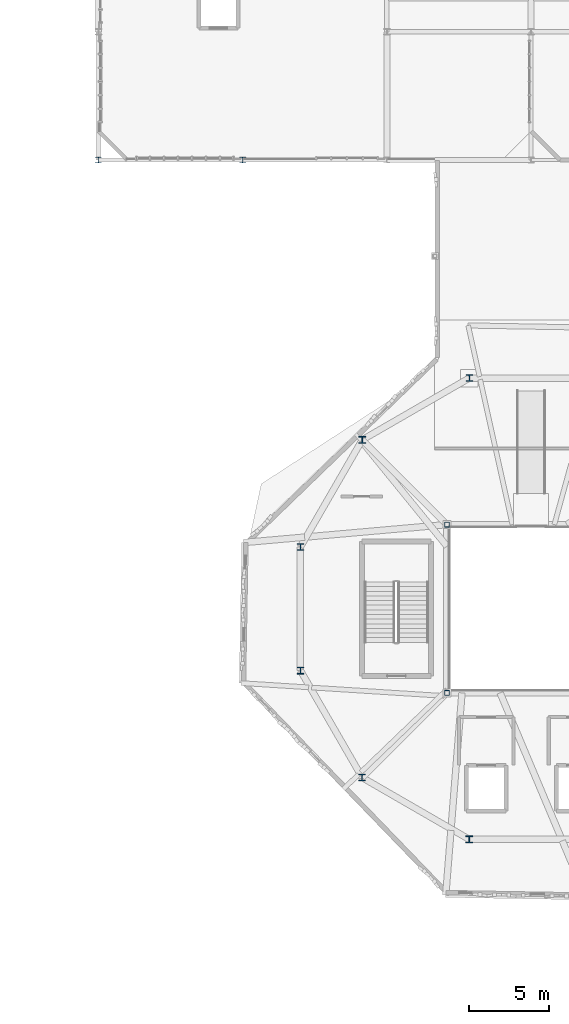
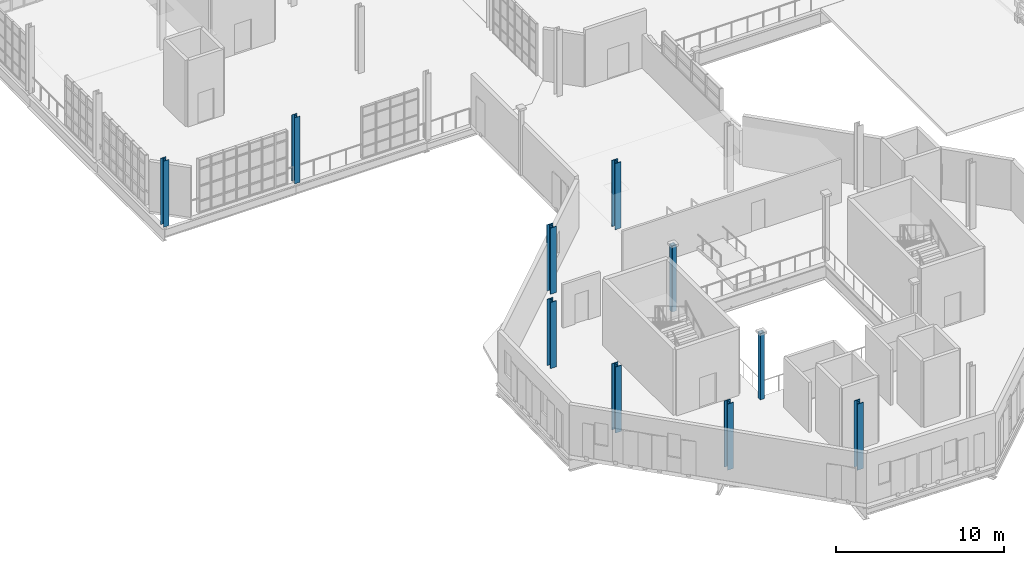
# One storey, part 1 of 85: 10 columns.
"""IFC4 building model written with IfcOpenShell, lengths in metres."""

import ifcopenshell
import ifcopenshell.guid

model = None  # the IFC model being written
_history = None  # IfcOwnerHistory: only IFC2X3 demands one
_inside = {}  # id of a spatial element -> (the spatial element, [elements in it])
_under = {}  # id of a project, library or spatial element -> (it, [spatial elements below it])
_declared = {}  # id of a project -> (the project, [libraries it declares])
_typed = {}  # id of a type object -> (the type object, [elements of that type])
_made_of = {}  # id of a material, layer set ... -> (it, [elements and type objects made of it])


def new_model(schema):
    """Start an empty IFC model of exactly this schema.

    Asked for "IFC4X3", IfcOpenShell would pick the latest addendum, in which some entities
    have other attributes; the version numbers below select the first issue.
    IFC2X3 requires an IfcOwnerHistory on every rooted entity: one is made here for all.
    """
    global model, _history
    if schema == "IFC4X3":
        model = ifcopenshell.file(schema_version=(4, 3, 0, 0))
    else:
        model = ifcopenshell.file(schema=schema)
    _inside.clear()
    _under.clear()
    _declared.clear()
    _typed.clear()
    _made_of.clear()
    _history = None
    if model.schema == "IFC2X3":
        org = make("IfcOrganization", Name="unknown")
        user = make(
            "IfcPersonAndOrganization",
            ThePerson=make("IfcPerson", FamilyName="unknown"),
            TheOrganization=org,
        )
        app = make(
            "IfcApplication",
            ApplicationDeveloper=org,
            Version="unknown",
            ApplicationFullName="unknown",
            ApplicationIdentifier="unknown",
        )
        _history = make(
            "IfcOwnerHistory",
            OwningUser=user,
            OwningApplication=app,
            ChangeAction="ADDED",
            CreationDate=0,
        )
    return model


def make(cls, **values):
    """One entity of the class cls with the attributes given. An attribute that is None is left unset."""
    return model.create_entity(
        cls, **{name: value for name, value in values.items() if value is not None}
    )


def rooted(cls, **values):
    """An entity with a GlobalId (a new one), such as an element, a storey or a relation."""
    return make(cls, GlobalId=ifcopenshell.guid.new(), OwnerHistory=_history, **values)


def si_unit(unit_type, name, prefix=None):
    """IfcSIUnit, for example si_unit("LENGTHUNIT", "METRE", prefix="MILLI")."""
    return make("IfcSIUnit", UnitType=unit_type, Prefix=prefix, Name=name)


def assignment(units):
    """IfcUnitAssignment: the units of a project."""
    return None if units is None else make("IfcUnitAssignment", Units=units)


def point(xyz):
    """IfcCartesianPoint."""
    return None if xyz is None else make("IfcCartesianPoint", Coordinates=xyz)


def direction(xyz):
    """IfcDirection."""
    return None if xyz is None else make("IfcDirection", DirectionRatios=xyz)


def frame(location, z_axis=None, x_axis=None):
    """IfcAxis2Placement3D, a coordinate frame: its origin and axes. An axis left out is left unset."""
    return make(
        "IfcAxis2Placement3D",
        Location=point(location),
        Axis=direction(z_axis),
        RefDirection=direction(x_axis),
    )


def frame_2d(location, x_axis=None):
    """IfcAxis2Placement2D, a coordinate frame in the plane: its origin and x axis."""
    return make(
        "IfcAxis2Placement2D", Location=point(location), RefDirection=direction(x_axis)
    )


def origin():
    """The frame at (0, 0, 0) with its axes left unset."""
    return frame((0.0, 0.0, 0.0))


def origin_2d():
    """The frame at (0, 0) in the plane with its x axis left unset."""
    return frame_2d((0.0, 0.0))


def place(relative_to, where):
    """IfcLocalPlacement: puts the frame where relative to a parent placement (None: the world)."""
    return make(
        "IfcLocalPlacement", PlacementRelTo=relative_to, RelativePlacement=where
    )


def context(
    kind, dimensions, precision=None, world=None, true_north=None, identifier=None
):
    """IfcGeometricRepresentationContext, for example the 3D "Model" context."""
    return make(
        "IfcGeometricRepresentationContext",
        ContextIdentifier=identifier,
        ContextType=kind,
        CoordinateSpaceDimension=dimensions,
        Precision=precision,
        WorldCoordinateSystem=world,
        TrueNorth=true_north,
    )


def subcontext(parent, identifier, kind, view, scale=None):
    """IfcGeometricRepresentationSubContext, for example "Body" below "Model"."""
    return make(
        "IfcGeometricRepresentationSubContext",
        ContextIdentifier=identifier,
        ContextType=kind,
        ParentContext=parent,
        TargetScale=scale,
        TargetView=view,
    )


def project(units=None, contexts=None):
    """IfcProject with its units and contexts."""
    return rooted(
        "IfcProject",
        Name="project",
        RepresentationContexts=contexts,
        UnitsInContext=assignment(units),
    )


def spatial(cls, under=None, at=None, **own):
    """A site, building, storey or space (cls), placed at a placement, below another one or the project."""
    s = rooted(cls, ObjectPlacement=at, **own)
    if under is not None:
        _under.setdefault(under.id(), (under, []))[1].append(s)
    return s


def profile(cls, at=None, kind="AREA", **sizes):
    """A parametric profile (cls). Its sizes go by their IFC names, for example OverallWidth=200.0."""
    return make(cls, ProfileType=kind, Position=at, **sizes)


def hollow_rectangle(**sizes):
    """IfcRectangleHollowProfileDef."""
    return profile("IfcRectangleHollowProfileDef", **sizes)


def i_section(**sizes):
    """IfcIShapeProfileDef."""
    return profile("IfcIShapeProfileDef", **sizes)


def extrude(swept, where, along, depth):
    """IfcExtrudedAreaSolid: the profile swept, set in the frame where, extruded along a direction by depth."""
    return make(
        "IfcExtrudedAreaSolid",
        SweptArea=swept,
        Position=where,
        ExtrudedDirection=direction(along),
        Depth=depth,
    )


def shape(context_of_items, identifier, shape_type, items):
    """IfcShapeRepresentation: the items that make up one representation, for example the "Body"."""
    return make(
        "IfcShapeRepresentation",
        ContextOfItems=context_of_items,
        RepresentationIdentifier=identifier,
        RepresentationType=shape_type,
        Items=items,
    )


def material(Name=None, Category=None):
    """IfcMaterial."""
    return make("IfcMaterial", Name=Name, Category=Category)


def material_profile(
    of_material, cross_section, Name=None, Category=None, Priority=None
):
    """IfcMaterialProfile: a cross section and its material."""
    return make(
        "IfcMaterialProfile",
        Name=Name,
        Material=of_material,
        Profile=cross_section,
        Priority=Priority,
        Category=Category,
    )


def profile_set(profiles, Name=None, composite=None):
    """IfcMaterialProfileSet."""
    return make(
        "IfcMaterialProfileSet",
        Name=Name,
        MaterialProfiles=profiles,
        CompositeProfile=composite,
    )


def made_of(thing, what):
    """Note that an element or type object is made of a material, layer set ...; save() writes the relation."""
    if what is not None:
        _made_of.setdefault(what.id(), (what, []))[1].append(thing)
    return thing


def type_object(cls, material=None, **own):
    """A type object (cls), such as IfcWallType, which elements share."""
    return made_of(rooted(cls, **own), material)


def element(
    cls,
    number,
    at=None,
    inside=None,
    cuts=None,
    type_object=None,
    material=None,
    context=None,
    identifier="Body",
    shape_type=None,
    held_by="IfcProductDefinitionShape",
    body=None,
    shapes=None,
    **own,
):
    """One element of the class cls, such as IfcWall. Its Tag is "e" and its number.

    at: its placement. inside: the storey or other place that contains it. cuts: it is an
    opening in that element (IfcRelVoidsElement). A single representation is given by context,
    identifier, shape_type and body (its items); several are given by shapes. held_by: the class
    of the entity that holds the representations. save() writes the other relations.
    """
    e = rooted(cls, Tag="e%d" % number, ObjectPlacement=at, **own)
    if body is not None:
        shapes = [shape(context, identifier, shape_type, body)]
    if shapes is not None:
        e.Representation = make(held_by, Representations=shapes)
    if inside is not None:
        _inside.setdefault(inside.id(), (inside, []))[1].append(e)
    if cuts is not None:
        rooted(
            "IfcRelVoidsElement", RelatingBuildingElement=cuts, RelatedOpeningElement=e
        )
    if type_object is not None:
        _typed.setdefault(type_object.id(), (type_object, []))[1].append(e)
    return made_of(e, material)


def aggregate(whole, parts):
    """IfcRelAggregates: a whole, such as a stair, and the parts it consists of."""
    return rooted("IfcRelAggregates", RelatingObject=whole, RelatedObjects=parts)


def save(model, path):
    """Write the relations noted so far, then the file.

    IfcRelAggregates (storeys below a building ...), IfcRelContainedInSpatialStructure (elements
    in a storey), IfcRelDefinesByType, IfcRelAssociatesMaterial and IfcRelDeclares: one each for
    every whole, place, type object, material and project.
    """
    for whole, parts in _under.values():
        aggregate(whole, parts)
    for where, things in _inside.values():
        rooted(
            "IfcRelContainedInSpatialStructure",
            RelatedElements=things,
            RelatingStructure=where,
        )
    for kind, things in _typed.values():
        rooted("IfcRelDefinesByType", RelatedObjects=things, RelatingType=kind)
    for what, things in _made_of.values():
        rooted("IfcRelAssociatesMaterial", RelatedObjects=things, RelatingMaterial=what)
    for by, libraries in _declared.values():
        rooted("IfcRelDeclares", RelatingContext=by, RelatedDefinitions=libraries)
    model.write(path)


model = new_model("IFC4")

# Units and contexts
model_context = context("Model", 3, precision=1e-05, world=origin(), true_north=direction((0.0, 1.0)))
body_context = subcontext(model_context, "Body", "Model", "MODEL_VIEW")
ifc_project = project(units=[si_unit("LENGTHUNIT", "METRE"), si_unit("AREAUNIT", "SQUARE_METRE"), si_unit("VOLUMEUNIT", "CUBIC_METRE"), si_unit("PLANEANGLEUNIT", "RADIAN"), si_unit("MASSUNIT", "GRAM", prefix="KILO"), si_unit("THERMODYNAMICTEMPERATUREUNIT", "KELVIN"), si_unit("POWERUNIT", "WATT")], contexts=[model_context])

# Site, building, storey
site_placement = place(None, origin())
site = spatial("IfcSite", under=ifc_project, at=site_placement, CompositionType="ELEMENT")
building_placement = place(site_placement, origin())
building = spatial("IfcBuilding", under=site, at=building_placement, Name="Zelmaris Science Centre", CompositionType="ELEMENT")
storey_placement = place(building_placement, frame((0.0, 0.0, 20.39990234375)))
storey = spatial("IfcBuildingStorey", under=building, at=storey_placement, Name="L04", CompositionType="ELEMENT", Elevation=20.39990234375)

# Columns
ifc_material_1 = material(Name="Steel ASTM A992 Grade 50", Category="steel")
ifc_material_profile_1 = material_profile(ifc_material_1, i_section(OverallWidth=0.412109375, OverallDepth=0.43408203125, WebThickness=0.035888671875, FlangeThickness=0.044189453125, FilletRadius=0.014892578125, at=origin_2d()), Name="W14X311")
ifc_profile_set_1 = profile_set([ifc_material_profile_1], Name="Steel ASTM A992 Grade 50")
column_type_1 = type_object("IfcColumnType", Name="Column C-01 W14X311", PredefinedType="COLUMN", material=ifc_profile_set_1)
for number, where, z_axis, x_axis, name in (
    (1, (70.464111328125, 46.535888671875, 0.0), (0.0, 0.0, 1.0), (1.0, 0.0, 0.0), "Column V2-MC05 L04"),
    (2, (66.607666015625, 32.1435546875, 0.0), (0.0, 0.0, 1.0), (1.0, 0.0, 0.0), "Column V2-MC07 L04"),
    (3, (77.1435546875, 21.607666015625, 0.0), (0.0, 0.0, 1.0), (1.0, 0.0, 0.0), "Column V2-MC09 L04"),
):
    element("IfcColumn", number, at=place(storey_placement, frame(where, z_axis=z_axis, x_axis=x_axis)), inside=storey, type_object=column_type_1, Name=name, PredefinedType="COLUMN", context=body_context, shape_type="SweptSolid", body=[
        extrude(i_section(OverallWidth=0.412109375, OverallDepth=0.43408203125, WebThickness=0.035888671875, FlangeThickness=0.044189453125, FilletRadius=0.014892578125, at=origin_2d()), origin(), (0.0, 0.0, 1.0), 4.800048828125),
    ])
ifc_material_profile_2 = material_profile(ifc_material_1, i_section(OverallWidth=0.406005859375, OverallDepth=0.4169921875, WebThickness=0.02978515625, FlangeThickness=0.04443359375, FilletRadius=0.014892578125, at=origin_2d()), Name="W14X257")
ifc_profile_set_2 = profile_set([ifc_material_profile_2], Name="Steel ASTM A992 Grade 50")
column_type_2 = type_object("IfcColumnType", Name="Column C-02 W14X257", PredefinedType="COLUMN", material=ifc_profile_set_2)
for number, where, z_axis, x_axis, name in (
    (4, (77.1435546875, 50.392333984375, 0.0), (0.0, 0.0, 1.0), (1.0, 0.0, 0.0), "Column V2-MC04 L04"),
    (5, (66.607666015625, 39.8564453125, 0.0), (0.0, 0.0, 1.0), (1.0, 0.0, 0.0), "Column V2-MC06 L04"),
    (6, (70.464111328125, 25.464111328125, 0.0), (0.0, 0.0, 1.0), (1.0, 0.0, 0.0), "Column V2-MC08 L04"),
):
    element("IfcColumn", number, at=place(storey_placement, frame(where, z_axis=z_axis, x_axis=x_axis)), inside=storey, type_object=column_type_2, Name=name, PredefinedType="COLUMN", context=body_context, shape_type="SweptSolid", body=[
        extrude(i_section(OverallWidth=0.406005859375, OverallDepth=0.4169921875, WebThickness=0.02978515625, FlangeThickness=0.04443359375, FilletRadius=0.014892578125, at=origin_2d()), origin(), (0.0, 0.0, 1.0), 4.800048828125),
    ])
ifc_material_profile_3 = material_profile(ifc_material_1, i_section(OverallWidth=0.367919921875, OverallDepth=0.35595703125, WebThickness=0.01123046875, FlangeThickness=0.01806640625, FilletRadius=0.014892578125, at=origin_2d()), Name="W14X90")
ifc_profile_set_3 = profile_set([ifc_material_profile_3], Name="Steel ASTM A992 Grade 50")
column_type_3 = type_object("IfcColumnType", Name="Column C-07 W14X90", PredefinedType="COLUMN", material=ifc_profile_set_3)
for number, where, z_axis, x_axis, name in (
    (7, (54.0, 64.0, 0.0), (0.0, 0.0, 1.0), (1.0, 0.0, 0.0), "Column V5-C-54-64 L04"),
    (8, (63.0, 64.0, 0.0), (0.0, 0.0, 1.0), (1.0, 0.0, 0.0), "Column V5-C-63-64 L04"),
):
    element("IfcColumn", number, at=place(storey_placement, frame(where, z_axis=z_axis, x_axis=x_axis)), inside=storey, type_object=column_type_3, Name=name, PredefinedType="COLUMN", context=body_context, shape_type="SweptSolid", body=[
        extrude(i_section(OverallWidth=0.367919921875, OverallDepth=0.35595703125, WebThickness=0.01123046875, FlangeThickness=0.01806640625, FilletRadius=0.014892578125, at=origin_2d()), origin(), (0.0, 0.0, 1.0), 4.800048828125),
    ])
ifc_material_2 = material(Name="Steel ASTM A500 Grade C", Category="steel")
ifc_material_profile_4 = material_profile(ifc_material_2, hollow_rectangle(XDim=0.3046875, YDim=0.3046875, WallThickness=0.0146484375, InnerFilletRadius=0.0146484375, OuterFilletRadius=0.029296875, at=origin_2d()), Name="HSS305X305X16")
ifc_profile_set_4 = profile_set([ifc_material_profile_4], Name="Steel ASTM A500 Grade C")
column_type_4 = type_object("IfcColumnType", Name="Column C-10 HSS305X305X16", PredefinedType="COLUMN", material=ifc_profile_set_4)
for number, where, z_axis, x_axis, name in (
    (9, (75.75, 30.75, 0.0), (0.0, 0.0, 1.0), (1.0, 0.0, 0.0), "Column V2-AC01 L04"),
    (10, (75.75, 41.25, 0.0), (0.0, 0.0, 1.0), (1.0, 0.0, 0.0), "Column V2-AC04 L04"),
):
    element("IfcColumn", number, at=place(storey_placement, frame(where, z_axis=z_axis, x_axis=x_axis)), inside=storey, type_object=column_type_4, Name=name, PredefinedType="COLUMN", context=body_context, shape_type="SweptSolid", body=[
        extrude(hollow_rectangle(XDim=0.3046875, YDim=0.3046875, WallThickness=0.0146484375, InnerFilletRadius=0.0146484375, OuterFilletRadius=0.029296875, at=origin_2d()), origin(), (0.0, 0.0, 1.0), 4.800048828125),
    ])

save(model, "model.ifc")
